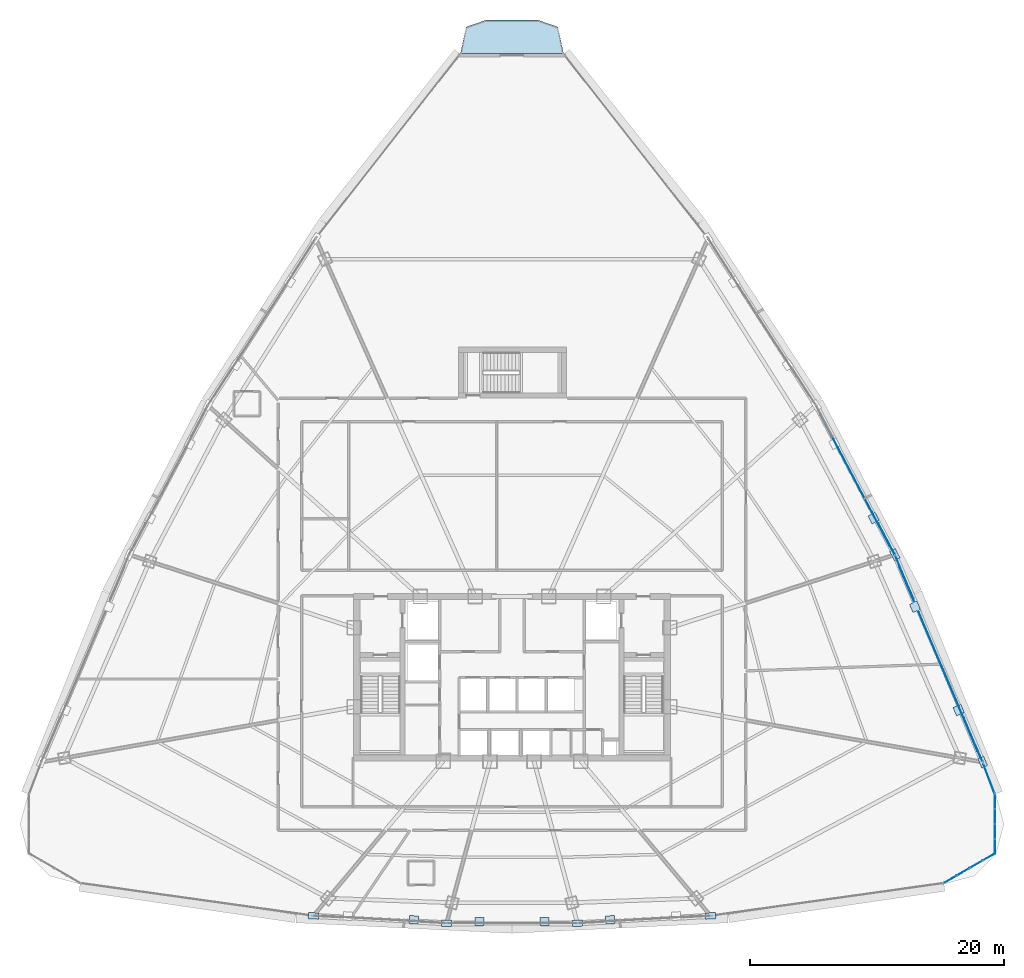
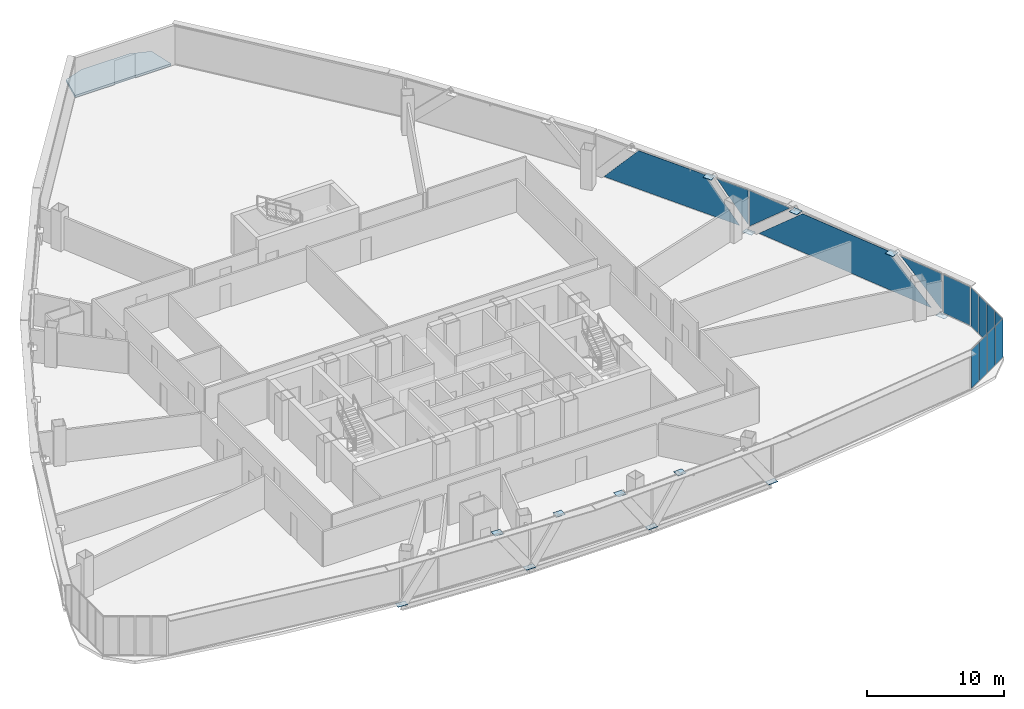
# One storey, part 29 of 37: 27 plates, 1 slab, 5 elements without a shape of their own.
"""IFC4 building model written with IfcOpenShell, lengths in metres."""

from ifc_helpers import new_model, si_unit, direction, frame, origin, origin_2d, place, context, subcontext, project, spatial, polyline, rectangle, outline, extrude, source, transform, mapped, material, layer, layer_set, type_object, element, aggregate, save


model = new_model("IFC4")

# Units and contexts
model_context = context("Model", 3, precision=1e-05, world=origin(), true_north=direction((0.0, 1.0)))
body_context = subcontext(model_context, "Body", "Model", "MODEL_VIEW")
ifc_project = project(units=[si_unit("LENGTHUNIT", "METRE"), si_unit("AREAUNIT", "SQUARE_METRE"), si_unit("VOLUMEUNIT", "CUBIC_METRE"), si_unit("PLANEANGLEUNIT", "RADIAN"), si_unit("MASSUNIT", "GRAM", prefix="KILO"), si_unit("THERMODYNAMICTEMPERATUREUNIT", "KELVIN"), si_unit("POWERUNIT", "WATT")], contexts=[model_context])

# Site, building, storey
site_placement = place(None, origin())
site = spatial("IfcSite", under=ifc_project, at=site_placement, CompositionType="ELEMENT")
building_placement = place(site_placement, origin())
building = spatial("IfcBuilding", under=site, at=building_placement, Name="Yunzhuo Pagoda Commons", CompositionType="ELEMENT")
storey_placement = place(building_placement, frame((0.0, 0.0, 207.56005859375)))
storey = spatial("IfcBuildingStorey", under=building, at=storey_placement, Name="L52", CompositionType="ELEMENT", Elevation=207.56005859375)

# Curtain wall, plates
ifc_material_1 = material(Name="Anodized aluminium 6063-T6", Category="aluminium")
ifc_layer_1 = layer(ifc_material_1, 0.14990234375)
ifc_layer_set_1 = layer_set([ifc_layer_1], Name="Anodized aluminium 6063-T6")
curtain_wall_type_1 = type_object("IfcCurtainWallType", Name="CW-MID Mid-Zone Ribbon Curtain Wall", PredefinedType="NOTDEFINED", material=ifc_layer_set_1)
curtain_wall_1_placement = place(storey_placement, origin())
curtain_wall_1 = element("IfcCurtainWall", 1, at=curtain_wall_1_placement, inside=storey, type_object=curtain_wall_type_1, Name="L52 curtain wall CW-L52-F2B2", PredefinedType="NOTDEFINED")
ifc_material_2 = material(Name="Tempered low-e double glazing", Category="glass")
ifc_layer_2 = layer(ifc_material_2, 0.028076171875)
ifc_layer_set_2 = layer_set([ifc_layer_2], Name="Tempered low-e double glazing")
plate_type_1 = type_object("IfcPlateType", Name="CW-MID-P Low-E Double Glazing 28", PredefinedType="CURTAIN_PANEL", material=ifc_layer_set_2)
plate_1_placement = place(storey_placement, frame((84.252685546875, 28.93603515625, 1.888427734375), z_axis=(0.920824274127, 0.389977763697, 0.0), x_axis=(-0.389977763697, 0.920824274127, 0.0)))
plate_1 = element("IfcPlate", 2, at=plate_1_placement, type_object=plate_type_1, Name="CW panel 1.1 lite 1", PredefinedType="CURTAIN_PANEL", context=body_context, shape_type="SweptSolid", body=[
    extrude(outline(polyline([(-1.860107421875, -1.596435546875), (1.860107421875, 1.596435546875), (-1.860107421875, 1.596435546875), (-1.860107421875, -1.596435546875)])), origin(), (0.0, 0.0, 1.0), 0.028076171875),
])
plate_2_placement = place(storey_placement, frame((81.520263671875, 35.310791015625, 1.77001953125), z_axis=(0.920824274127, 0.389977763697, 0.0), x_axis=(-0.389977763697, 0.920824274127, 0.0)))
plate_2 = element("IfcPlate", 3, at=plate_2_placement, type_object=plate_type_1, Name="CW panel 1.1 lite 2", PredefinedType="CURTAIN_PANEL", context=body_context, shape_type="SweptSolid", body=[
    extrude(outline(polyline([(-7.9052734375, -1.715087890625), (7.9052734375, -1.715087890625), (3.908447265625, 1.715087890625), (-3.908447265625, 1.715087890625), (-7.9052734375, -1.715087890625)])), origin(), (0.0, 0.0, 1.0), 0.028076171875),
])
plate_3_placement = place(storey_placement, frame((78.84326171875, 41.708984375, 1.888427734375), z_axis=(0.920824274127, 0.389977763697, 0.0), x_axis=(-0.389977763697, 0.920824274127, 0.0)))
plate_3 = element("IfcPlate", 4, at=plate_3_placement, type_object=plate_type_1, Name="CW panel 1.1 lite 3", PredefinedType="CURTAIN_PANEL", context=body_context, shape_type="SweptSolid", body=[
    extrude(outline(polyline([(-1.860107421875, 1.596435546875), (1.860107421875, -1.596435546875), (1.860107421875, 1.596435546875), (-1.860107421875, 1.596435546875)])), origin(), (0.0, 0.0, 1.0), 0.028076171875),
])
aggregate(curtain_wall_1, [plate_1, plate_2, plate_3])

curtain_wall_2_placement = place(storey_placement, origin())
curtain_wall_2 = element("IfcCurtainWall", 5, at=curtain_wall_2_placement, inside=storey, type_object=curtain_wall_type_1, Name="L52 curtain wall CW-L52-F2B3", PredefinedType="NOTDEFINED")
plate_4_placement = place(storey_placement, frame((77.435546875, 44.7265625, 1.935546875), z_axis=(0.884591690585, 0.466366316267, 0.0), x_axis=(-0.466366316267, 0.884591690585, 0.0)))
plate_4 = element("IfcPlate", 6, at=plate_4_placement, type_object=plate_type_1, Name="CW panel 1.1 lite 1", PredefinedType="CURTAIN_PANEL", context=body_context, shape_type="SweptSolid", body=[
    extrude(outline(polyline([(-1.35400390625, -1.54931640625), (1.35400390625, 1.54931640625), (-1.35400390625, 1.54931640625), (-1.35400390625, -1.54931640625)])), origin(), (0.0, 0.0, 1.0), 0.028076171875),
])
plate_5_placement = place(storey_placement, frame((74.971435546875, 49.33642578125, 1.77001953125), z_axis=(0.884591690585, 0.466366316267, 0.0), x_axis=(-0.466366316267, 0.884591690585, 0.0)))
plate_5 = element("IfcPlate", 7, at=plate_5_placement, type_object=plate_type_1, Name="CW panel 1.1 lite 2", PredefinedType="CURTAIN_PANEL", context=body_context, shape_type="SweptSolid", body=[
    extrude(outline(polyline([(-5.861083984375, -1.715087890625), (5.861083984375, -1.715087890625), (2.864013671875, 1.715087890625), (-2.864013671875, 1.715087890625), (-5.861083984375, -1.715087890625)])), origin(), (0.0, 0.0, 1.0), 0.028076171875),
])
aggregate(curtain_wall_2, [plate_4, plate_5])

# Slab
ifc_material_3 = material(Name="Concrete C40", Category="concrete")
ifc_layer_3 = layer(ifc_material_3, 0.199951171875)
ifc_layer_set_3 = layer_set([ifc_layer_3], Name="Concrete C40")
slab_type = type_object("IfcSlabType", Name="SL-BAL Vertex Balcony Deck Slab 200", PredefinedType="FLOOR", material=ifc_layer_set_3)
slab_placement = place(storey_placement, frame((0.0, 0.0, -0.199951171875)))
element("IfcSlab", 8, at=slab_placement, inside=storey, type_object=slab_type, Name="L52 corner balcony V3", PredefinedType="FLOOR", context=body_context, shape_type="SweptSolid", body=[
    extrude(outline(polyline([(52.059814453125, 82.887451171875), (43.940185546875, 82.887451171875), (44.39013671875, 84.982421875), (45.97021484375, 85.532470703125), (50.02978515625, 85.532470703125), (51.60986328125, 84.982421875), (52.059814453125, 82.887451171875)])), origin(), (0.0, 0.0, 1.0), 0.199951171875),
])

# Plates
ifc_material_4 = material(Name="Structural steel Q355B", Category="steel")
ifc_layer_4 = layer(ifc_material_4, 0.028076171875)
ifc_layer_set_4 = layer_set([ifc_layer_4], Name="Structural steel Q355B")
plate_type_2 = type_object("IfcPlateType", Name="SP-ND1 Lattice Node Cap Plate 800x500x28", PredefinedType="USERDEFINED", material=ifc_layer_set_4)
shared_shape_1 = source(origin(), body_context, "Body", "SweptSolid", [
    extrude(rectangle(XDim=0.800048828125, YDim=0.5, at=origin_2d()), origin(), (0.0, 0.0, 1.0), 0.028076171875),
])
for number, where, z_axis, x_axis, name in (
    (9, (32.378173828125, 15.08251953125, -0.27392578125), (0.0, 0.0, 1.0), (0.998440764182, -0.055821504993, 0.0), "L52 diamond node plate F1.1A"),
    (10, (42.8544921875, 14.496826171875, -0.27392578125), (0.0, 0.0, 1.0), (1.0, 0.0, 0.0), "L52 diamond node plate F1.2A"),
    (11, (53.1455078125, 14.496826171875, -0.27392578125), (0.0, 0.0, 1.0), (0.998440764182, 0.055821504993, 0.0), "L52 diamond node plate F1.3A"),
    (12, (63.621826171875, 15.08251953125, -0.27392578125), (0.0, 0.0, 1.0), (0.998440764182, 0.055821504993, 0.0), "L52 diamond node plate F1.3B"),
    (13, (85.014404296875, 27.17333984375, -0.27392578125), (0.0, 0.0, 1.0), (-0.38997590261, 0.920825062313, 0.0), "L52 diamond node plate F2.1A"),
    (14, (78.107421875, 43.482421875, -0.27392578125), (0.0, 0.0, 1.0), (-0.466371201418, 0.884589115063, 0.0), "L52 diamond node plate F2.2A"),
):
    element("IfcPlate", number, at=place(storey_placement, frame(where, z_axis=z_axis, x_axis=x_axis)), inside=storey, type_object=plate_type_2, Name=name, ObjectType="STIFFENER_PLATE", PredefinedType="USERDEFINED", context=body_context, shape_type="MappedRepresentation", body=[
        mapped(shared_shape_1, transform((0.0, 0.0, 0.0), scale=1.0)),
    ])
shared_shape_2 = source(origin(), body_context, "Body", "SweptSolid", [
    extrude(rectangle(XDim=0.699951171875, YDim=0.6318359375, at=origin_2d()), origin(), (0.0, 0.0, 1.0), 0.035888671875),
])
for number, where, z_axis, x_axis, name in (
    (15, (40.28857421875, 14.773681640625, 3.501953125), (0.0, 0.0, 1.0), (0.998440764182, -0.055821504993, 0.0), "L52 setback lattice tie plate F1.1R"),
    (16, (55.71142578125, 14.773681640625, 3.501953125), (0.0, 0.0, 1.0), (0.998440764182, 0.055821504993, 0.0), "L52 setback lattice tie plate F1.3L"),
):
    element("IfcPlate", number, at=place(storey_placement, frame(where, z_axis=z_axis, x_axis=x_axis)), inside=storey, type_object=plate_type_2, Name=name, ObjectType="STIFFENER_PLATE", PredefinedType="USERDEFINED", context=body_context, shape_type="MappedRepresentation", body=[
        mapped(shared_shape_2, transform((0.0, 0.0, 0.0), scale=1.0)),
    ])
shared_shape_3 = source(origin(), body_context, "Body", "SweptSolid", [
    extrude(rectangle(XDim=0.699951171875, YDim=0.615966796875, at=origin_2d()), origin(), (0.0, 0.0, 1.0), 0.035888671875),
])
for number, where, z_axis, x_axis, name in (
    (17, (45.44482421875, 14.628662109375, 3.501953125), (0.0, 0.0, 1.0), (1.0, 0.0, 0.0), "L52 setback lattice tie plate F1.2L"),
    (18, (50.55517578125, 14.628662109375, 3.501953125), (0.0, 0.0, 1.0), (1.0, 0.0, 0.0), "L52 setback lattice tie plate F1.2R"),
):
    element("IfcPlate", number, at=place(storey_placement, frame(where, z_axis=z_axis, x_axis=x_axis)), inside=storey, type_object=plate_type_2, Name=name, ObjectType="STIFFENER_PLATE", PredefinedType="USERDEFINED", context=body_context, shape_type="MappedRepresentation", body=[
        mapped(shared_shape_3, transform((0.0, 0.0, 0.0), scale=1.0)),
    ])
shared_shape_4 = source(origin(), body_context, "Body", "SweptSolid", [
    extrude(rectangle(XDim=0.699951171875, YDim=0.672607421875, at=origin_2d()), origin(), (0.0, 0.0, 1.0), 0.035888671875),
])
plate_6_placement = place(storey_placement, frame((83.126953125, 31.26220703125, 3.501953125), z_axis=(0.0, 0.0, 1.0), x_axis=(-0.38997590261, 0.920825062313, 0.0)))
element("IfcPlate", 19, at=plate_6_placement, inside=storey, type_object=plate_type_2, Name="L52 setback lattice tie plate F2.1L", ObjectType="STIFFENER_PLATE", PredefinedType="USERDEFINED", context=body_context, shape_type="MappedRepresentation", body=[
    mapped(shared_shape_4, transform((0.0, 0.0, 0.0), scale=1.0)),
])
shared_shape_5 = source(origin(), body_context, "Body", "SweptSolid", [
    extrude(rectangle(XDim=0.699951171875, YDim=0.64111328125, at=origin_2d()), origin(), (0.0, 0.0, 1.0), 0.035888671875),
])
plate_7_placement = place(storey_placement, frame((79.69091796875, 39.3798828125, 3.501953125), z_axis=(0.0, 0.0, 1.0), x_axis=(-0.38997590261, 0.920825062313, 0.0)))
element("IfcPlate", 20, at=plate_7_placement, inside=storey, type_object=plate_type_2, Name="L52 setback lattice tie plate F2.1R", ObjectType="STIFFENER_PLATE", PredefinedType="USERDEFINED", context=body_context, shape_type="MappedRepresentation", body=[
    mapped(shared_shape_5, transform((0.0, 0.0, 0.0), scale=1.0)),
])
shared_shape_6 = source(origin(), body_context, "Body", "SweptSolid", [
    extrude(rectangle(XDim=0.699951171875, YDim=0.62890625, at=origin_2d()), origin(), (0.0, 0.0, 1.0), 0.035888671875),
])
plate_8_placement = place(storey_placement, frame((76.431396484375, 46.36328125, 3.501953125), z_axis=(0.0, 0.0, 1.0), x_axis=(-0.466371201418, 0.884589115063, 0.0)))
element("IfcPlate", 21, at=plate_8_placement, inside=storey, type_object=plate_type_2, Name="L52 setback lattice tie plate F2.2L", ObjectType="STIFFENER_PLATE", PredefinedType="USERDEFINED", context=body_context, shape_type="MappedRepresentation", body=[
    mapped(shared_shape_6, transform((0.0, 0.0, 0.0), scale=1.0)),
])

# Curtain wall, plate
curtain_wall_3_placement = place(storey_placement, origin())
curtain_wall_3 = element("IfcCurtainWall", 22, at=curtain_wall_3_placement, inside=storey, type_object=curtain_wall_type_1, Name="L52 curtain wall CW-L52-F2B1", PredefinedType="NOTDEFINED")
shared_shape_7 = source(origin(), body_context, "Body", "SweptSolid", [
    extrude(rectangle(XDim=2.50048828125, YDim=0.028076171875, at=origin_2d()), origin(), (0.0, 0.0, 1.0), 3.429931640625),
])
plate_9_placement = place(storey_placement, frame((85.505615234375, 25.878173828125, 0.05517578125), z_axis=(0.0, 0.0, 1.0), x_axis=(-0.354558749116, 0.935033739191, 0.0)))
plate_9 = element("IfcPlate", 23, at=plate_9_placement, type_object=plate_type_1, Name="CW panel 1.1", PredefinedType="CURTAIN_PANEL", context=body_context, shape_type="MappedRepresentation", body=[
    mapped(shared_shape_7, transform((0.0, 0.0, 0.0), scale=1.0)),
])
aggregate(curtain_wall_3, [plate_9])

# Curtain wall, plates
ifc_layer_5 = layer(ifc_material_1, 0.1298828125)
ifc_layer_set_5 = layer_set([ifc_layer_5], Name="Anodized aluminium 6063-T6")
curtain_wall_type_2 = type_object("IfcCurtainWallType", Name="CW-VTX Rounded Corner Curtain Wall", PredefinedType="NOTDEFINED", material=ifc_layer_set_5)
curtain_wall_4_placement = place(storey_placement, origin())
curtain_wall_4 = element("IfcCurtainWall", 24, at=curtain_wall_4_placement, inside=storey, type_object=curtain_wall_type_2, Name="L52 curtain wall CW-L52-VTX2S1", PredefinedType="NOTDEFINED")
ifc_layer_6 = layer(ifc_material_2, 0.02587890625)
ifc_layer_set_6 = layer_set([ifc_layer_6], Name="Tempered low-e double glazing")
plate_type_3 = type_object("IfcPlateType", Name="CW-VTX-P Low-E Double Glazing 26", PredefinedType="CURTAIN_PANEL", material=ifc_layer_set_6)
shared_shape_8 = source(origin(), body_context, "Body", "SweptSolid", [
    extrude(rectangle(XDim=1.09521484375, YDim=0.028076171875, at=origin_2d()), origin(), (0.0, 0.0, 1.0), 3.429931640625),
])
plate_10_placement = place(storey_placement, frame((82.4716796875, 17.95361328125, 0.05517578125), z_axis=(0.0, 0.0, 1.0), x_axis=(0.865425801013, 0.50103710735, 0.0)))
plate_10 = element("IfcPlate", 25, at=plate_10_placement, type_object=plate_type_3, Name="CW panel 1.1", PredefinedType="CURTAIN_PANEL", context=body_context, shape_type="MappedRepresentation", body=[
    mapped(shared_shape_8, transform((0.0, 0.0, 0.0), scale=1.0)),
])
plate_11_placement = place(storey_placement, frame((85.505615234375, 19.7099609375, 0.05517578125), z_axis=(0.0, 0.0, 1.0), x_axis=(0.865425801013, 0.50103710735, 0.0)))
plate_11 = element("IfcPlate", 26, at=plate_11_placement, type_object=plate_type_3, Name="CW panel 4.1", PredefinedType="CURTAIN_PANEL", context=body_context, shape_type="MappedRepresentation", body=[
    mapped(shared_shape_8, transform((0.0, 0.0, 0.0), scale=1.0)),
])

curtain_wall_5_placement = place(storey_placement, origin())
curtain_wall_5 = element("IfcCurtainWall", 27, at=curtain_wall_5_placement, inside=storey, type_object=curtain_wall_type_2, Name="L52 curtain wall CW-L52-VTX2S2", PredefinedType="NOTDEFINED")
plate_12_placement = place(storey_placement, frame((85.98486328125, 20.544921875, 0.05517578125), z_axis=(0.0, 0.0, 1.0), x_axis=(-0.00358763029, 0.999993564434, 0.0)))
plate_12 = element("IfcPlate", 28, at=plate_12_placement, type_object=plate_type_3, Name="CW panel 1.1", PredefinedType="CURTAIN_PANEL", context=body_context, shape_type="MappedRepresentation", body=[
    mapped(shared_shape_8, transform((0.0, 0.0, 0.0), scale=1.0)),
])
plate_13_placement = place(storey_placement, frame((85.972412109375, 24.050537109375, 0.05517578125), z_axis=(0.0, 0.0, 1.0), x_axis=(-0.00358763029, 0.999993564434, 0.0)))
plate_13 = element("IfcPlate", 29, at=plate_13_placement, type_object=plate_type_3, Name="CW panel 4.1", PredefinedType="CURTAIN_PANEL", context=body_context, shape_type="MappedRepresentation", body=[
    mapped(shared_shape_8, transform((0.0, 0.0, 0.0), scale=1.0)),
])

# Plate
shared_shape_9 = source(origin(), body_context, "Body", "SweptSolid", [
    extrude(rectangle(XDim=1.12255859375, YDim=0.028076171875, at=origin_2d()), origin(), (0.0, 0.0, 1.0), 3.429931640625),
])
plate_14_placement = place(storey_placement, frame((83.47900390625, 18.536865234375, 0.05517578125), z_axis=(0.0, 0.0, 1.0), x_axis=(0.865425801013, 0.50103710735, 0.0)))
plate_14 = element("IfcPlate", 30, at=plate_14_placement, type_object=plate_type_3, Name="CW panel 2.1", PredefinedType="CURTAIN_PANEL", context=body_context, shape_type="MappedRepresentation", body=[
    mapped(shared_shape_9, transform((0.0, 0.0, 0.0), scale=1.0)),
])

plate_15_placement = place(storey_placement, frame((84.498291015625, 19.126708984375, 0.05517578125), z_axis=(0.0, 0.0, 1.0), x_axis=(0.865425801013, 0.50103710735, 0.0)))
plate_15 = element("IfcPlate", 31, at=plate_15_placement, type_object=plate_type_3, Name="CW panel 3.1", PredefinedType="CURTAIN_PANEL", context=body_context, shape_type="MappedRepresentation", body=[
    mapped(shared_shape_9, transform((0.0, 0.0, 0.0), scale=1.0)),
])

aggregate(curtain_wall_4, [plate_10, plate_14, plate_15, plate_11])

plate_16_placement = place(storey_placement, frame((85.980712890625, 21.708984375, 0.05517578125), z_axis=(0.0, 0.0, 1.0), x_axis=(-0.00358763029, 0.999993564434, 0.0)))
plate_16 = element("IfcPlate", 32, at=plate_16_placement, type_object=plate_type_3, Name="CW panel 2.1", PredefinedType="CURTAIN_PANEL", context=body_context, shape_type="MappedRepresentation", body=[
    mapped(shared_shape_9, transform((0.0, 0.0, 0.0), scale=1.0)),
])

plate_17_placement = place(storey_placement, frame((85.9765625, 22.886474609375, 0.05517578125), z_axis=(0.0, 0.0, 1.0), x_axis=(-0.00358763029, 0.999993564434, 0.0)))
plate_17 = element("IfcPlate", 33, at=plate_17_placement, type_object=plate_type_3, Name="CW panel 3.1", PredefinedType="CURTAIN_PANEL", context=body_context, shape_type="MappedRepresentation", body=[
    mapped(shared_shape_9, transform((0.0, 0.0, 0.0), scale=1.0)),
])

aggregate(curtain_wall_5, [plate_12, plate_16, plate_17, plate_13])

save(model, "model.ifc")
